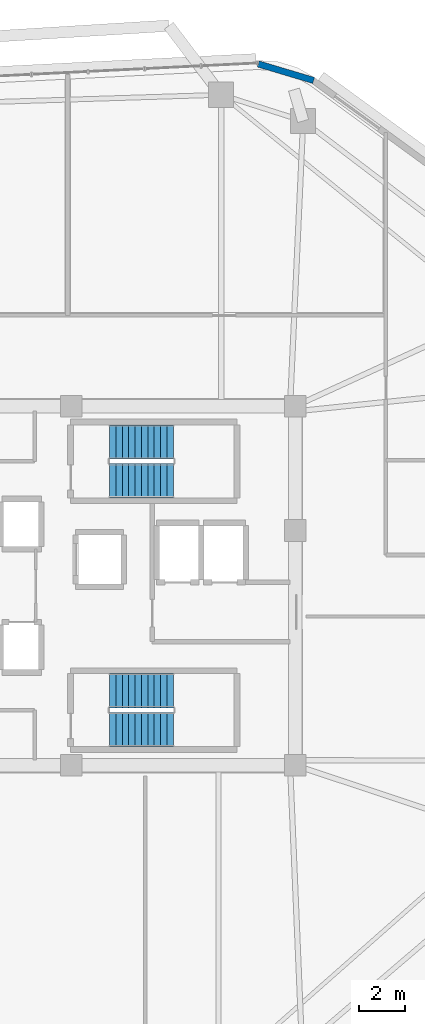
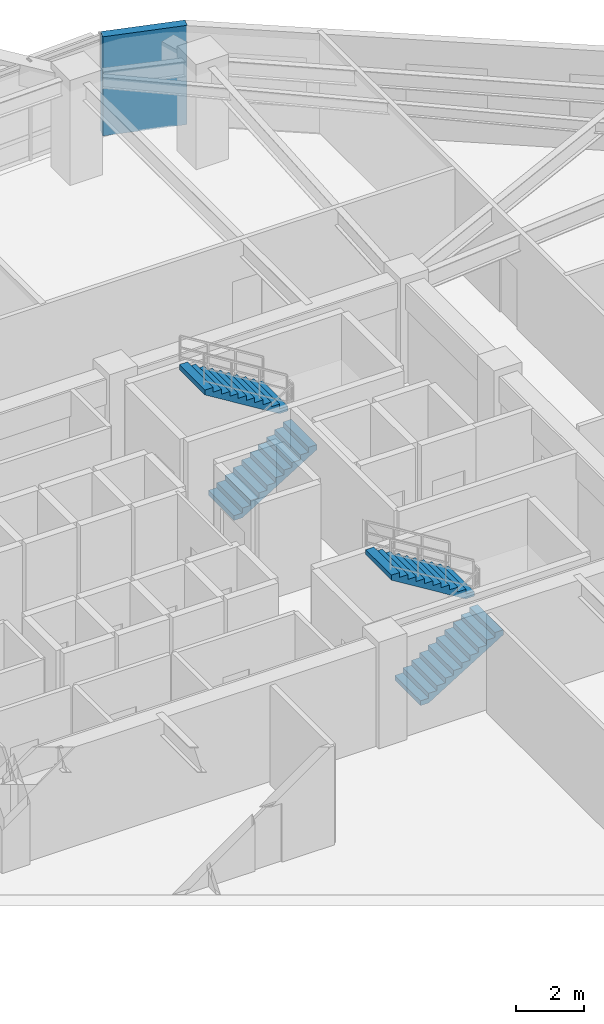
# One storey, part 11 of 14: 4 stair flights, 1 wall, 2 elements without a shape of their own.
"""IFC4 building model written with IfcOpenShell, lengths in metres."""

from ifc_helpers import new_model, si_unit, direction, frame, frame_2d, origin, place, context, subcontext, project, spatial, polyline, rectangle, outline, extrude, material, layer, layer_set, type_object, element, aggregate, save


model = new_model("IFC4")

# Units and contexts
model_context = context("Model", 3, precision=1e-05, world=origin(), true_north=direction((0.0, 1.0)))
body_context = subcontext(model_context, "Body", "Model", "MODEL_VIEW")
ifc_project = project(units=[si_unit("LENGTHUNIT", "METRE"), si_unit("AREAUNIT", "SQUARE_METRE"), si_unit("VOLUMEUNIT", "CUBIC_METRE"), si_unit("PLANEANGLEUNIT", "RADIAN"), si_unit("MASSUNIT", "GRAM", prefix="KILO")], contexts=[model_context])

# Site, building, storey
site_placement = place(None, origin())
site = spatial("IfcSite", under=ifc_project, at=site_placement, CompositionType="ELEMENT")
building_placement = place(site_placement, origin())
building = spatial("IfcBuilding", under=site, at=building_placement, Name="Zulverin Broadcast Headquarters", CompositionType="ELEMENT")
storey_placement = place(building_placement, frame((0.0, 0.0, 147.800048828125)))
storey = spatial("IfcBuildingStorey", under=building, at=storey_placement, Name="L37", CompositionType="ELEMENT", Elevation=147.800048828125)

# Wall
ifc_material_1 = material(Name="Insulated pale-metal clad concrete spandrel C40/50", Category="concrete")
ifc_layer = layer(ifc_material_1, 0.280029296875, Name="Insulated pale-metal clad concrete spandrel C40/50", Category="concrete")
ifc_layer_set = layer_set([ifc_layer], Name="Insulated pale-metal clad concrete spandrel C40/50")
wall_type = type_object("IfcWallType", Name="WL-EXT-280", PredefinedType="STANDARD", material=ifc_layer_set)
wall_placement = place(storey_placement, frame((49.079345703125, 47.35205078125, 0.0), z_axis=(0.0, 0.0, 1.0), x_axis=(-0.958211930429, 0.286059253272, 0.0)))
element("IfcWall", 1, at=wall_placement, inside=storey, type_object=wall_type, Name="L37 Wind-Shaped Corner Spandrel Wall 4-1", PredefinedType="STANDARD", context=body_context, shape_type="SweptSolid", body=[
    extrude(rectangle(XDim=2.5380859375, YDim=0.280029296875, at=frame_2d((1.26904296875, 0.0))), origin(), (0.0, 0.0, 1.0), 3.5400390625),
])

# Stair, stair flights
ifc_material_2 = material(Name="Concrete C40/50", Category="concrete")
stair_type = type_object("IfcStairType", Name="ST-CORE-1500", PredefinedType="HALF_TURN_STAIR", material=ifc_material_2)
stair_1_placement = place(storey_placement, origin())
stair_1 = element("IfcStair", 2, at=stair_1_placement, inside=storey, type_object=stair_type, Name="L37 Core Exit Stair ST-1", PredefinedType="HALF_TURN_STAIR")
stair_flight_type = type_object("IfcStairFlightType", Name="SF-CORE-1500", PredefinedType="STRAIGHT", material=ifc_material_2)
stair_flight_1_placement = place(storey_placement, frame((40.1298828125, 29.800048828125, 0.0), z_axis=(0.0, 0.0, 1.0), x_axis=(1.0, 0.0, 0.0)))
stair_flight_1 = element("IfcStairFlight", 3, at=stair_flight_1_placement, type_object=stair_flight_type, Name="ST-1 flight 1", NumberOfRisers=11, NumberOfTreads=10, PredefinedType="STRAIGHT", RiserHeight=0.172727273, TreadLength=0.28, context=body_context, shape_type="SweptSolid", body=[
    extrude(outline(polyline([(0.0, 0.0), (0.0, 0.172607421875), (0.280029296875, 0.172607421875), (0.280029296875, 0.345458984375), (0.56005859375, 0.345458984375), (0.56005859375, 0.51806640625), (0.840087890625, 0.51806640625), (0.840087890625, 0.69091796875), (1.1201171875, 0.69091796875), (1.1201171875, 0.863525390625), (1.39990234375, 0.863525390625), (1.39990234375, 1.036376953125), (1.679931640625, 1.036376953125), (1.679931640625, 1.208984375), (1.9599609375, 1.208984375), (1.9599609375, 1.3818359375), (2.239990234375, 1.3818359375), (2.239990234375, 1.554443359375), (2.52001953125, 1.554443359375), (2.52001953125, 1.727294921875), (2.800048828125, 1.727294921875), (2.800048828125, 1.89990234375), (2.800048828125, 1.551025390625), (0.285400390625, 0.0), (0.0, 0.0)])), frame((0.0, 0.75, 0.0), z_axis=(0.0, -1.0, 0.0), x_axis=(1.0, 0.0, 0.0)), (0.0, 0.0, 1.0), 1.5),
])
stair_flight_2_placement = place(storey_placement, frame((42.929931640625, 31.5, 1.89990234375), z_axis=(0.0, 0.0, 1.0), x_axis=(-1.0, 0.0, 0.0)))
stair_flight_2 = element("IfcStairFlight", 4, at=stair_flight_2_placement, type_object=stair_flight_type, Name="ST-1 flight 2", NumberOfRisers=11, NumberOfTreads=10, PredefinedType="STRAIGHT", RiserHeight=0.172727273, TreadLength=0.28, context=body_context, shape_type="SweptSolid", body=[
    extrude(outline(polyline([(0.0, 0.0), (0.0, 0.172607421875), (0.280029296875, 0.172607421875), (0.280029296875, 0.345458984375), (0.56005859375, 0.345458984375), (0.56005859375, 0.51806640625), (0.840087890625, 0.51806640625), (0.840087890625, 0.69091796875), (1.1201171875, 0.69091796875), (1.1201171875, 0.863525390625), (1.39990234375, 0.863525390625), (1.39990234375, 1.036376953125), (1.679931640625, 1.036376953125), (1.679931640625, 1.208984375), (1.9599609375, 1.208984375), (1.9599609375, 1.3818359375), (2.239990234375, 1.3818359375), (2.239990234375, 1.554443359375), (2.52001953125, 1.554443359375), (2.52001953125, 1.727294921875), (2.800048828125, 1.727294921875), (2.800048828125, 1.89990234375), (2.800048828125, 1.551025390625), (0.285400390625, 0.0), (0.0, 0.0)])), frame((0.0, 0.75, 0.0), z_axis=(0.0, -1.0, 0.0), x_axis=(1.0, 0.0, 0.0)), (0.0, 0.0, 1.0), 1.5),
])
aggregate(stair_1, [stair_flight_1, stair_flight_2])

stair_2_placement = place(storey_placement, origin())
stair_2 = element("IfcStair", 5, at=stair_2_placement, inside=storey, type_object=stair_type, Name="L37 Core Exit Stair ST-2", PredefinedType="HALF_TURN_STAIR")
stair_flight_3_placement = place(storey_placement, frame((40.1298828125, 18.89990234375, 0.0), z_axis=(0.0, 0.0, 1.0), x_axis=(1.0, 0.0, 0.0)))
stair_flight_3 = element("IfcStairFlight", 6, at=stair_flight_3_placement, type_object=stair_flight_type, Name="ST-2 flight 1", NumberOfRisers=11, NumberOfTreads=10, PredefinedType="STRAIGHT", RiserHeight=0.172727273, TreadLength=0.28, context=body_context, shape_type="SweptSolid", body=[
    extrude(outline(polyline([(0.0, 0.0), (0.0, 0.172607421875), (0.280029296875, 0.172607421875), (0.280029296875, 0.345458984375), (0.56005859375, 0.345458984375), (0.56005859375, 0.51806640625), (0.840087890625, 0.51806640625), (0.840087890625, 0.69091796875), (1.1201171875, 0.69091796875), (1.1201171875, 0.863525390625), (1.39990234375, 0.863525390625), (1.39990234375, 1.036376953125), (1.679931640625, 1.036376953125), (1.679931640625, 1.208984375), (1.9599609375, 1.208984375), (1.9599609375, 1.3818359375), (2.239990234375, 1.3818359375), (2.239990234375, 1.554443359375), (2.52001953125, 1.554443359375), (2.52001953125, 1.727294921875), (2.800048828125, 1.727294921875), (2.800048828125, 1.89990234375), (2.800048828125, 1.551025390625), (0.285400390625, 0.0), (0.0, 0.0)])), frame((0.0, 0.75, 0.0), z_axis=(0.0, -1.0, 0.0), x_axis=(1.0, 0.0, 0.0)), (0.0, 0.0, 1.0), 1.5),
])
stair_flight_4_placement = place(storey_placement, frame((42.929931640625, 20.60009765625, 1.89990234375), z_axis=(0.0, 0.0, 1.0), x_axis=(-1.0, 0.0, 0.0)))
stair_flight_4 = element("IfcStairFlight", 7, at=stair_flight_4_placement, type_object=stair_flight_type, Name="ST-2 flight 2", NumberOfRisers=11, NumberOfTreads=10, PredefinedType="STRAIGHT", RiserHeight=0.172727273, TreadLength=0.28, context=body_context, shape_type="SweptSolid", body=[
    extrude(outline(polyline([(0.0, 0.0), (0.0, 0.172607421875), (0.280029296875, 0.172607421875), (0.280029296875, 0.345458984375), (0.56005859375, 0.345458984375), (0.56005859375, 0.51806640625), (0.840087890625, 0.51806640625), (0.840087890625, 0.69091796875), (1.1201171875, 0.69091796875), (1.1201171875, 0.863525390625), (1.39990234375, 0.863525390625), (1.39990234375, 1.036376953125), (1.679931640625, 1.036376953125), (1.679931640625, 1.208984375), (1.9599609375, 1.208984375), (1.9599609375, 1.3818359375), (2.239990234375, 1.3818359375), (2.239990234375, 1.554443359375), (2.52001953125, 1.554443359375), (2.52001953125, 1.727294921875), (2.800048828125, 1.727294921875), (2.800048828125, 1.89990234375), (2.800048828125, 1.551025390625), (0.285400390625, 0.0), (0.0, 0.0)])), frame((0.0, 0.75, 0.0), z_axis=(0.0, -1.0, 0.0), x_axis=(1.0, 0.0, 0.0)), (0.0, 0.0, 1.0), 1.5),
])
aggregate(stair_2, [stair_flight_3, stair_flight_4])

save(model, "model.ifc")
